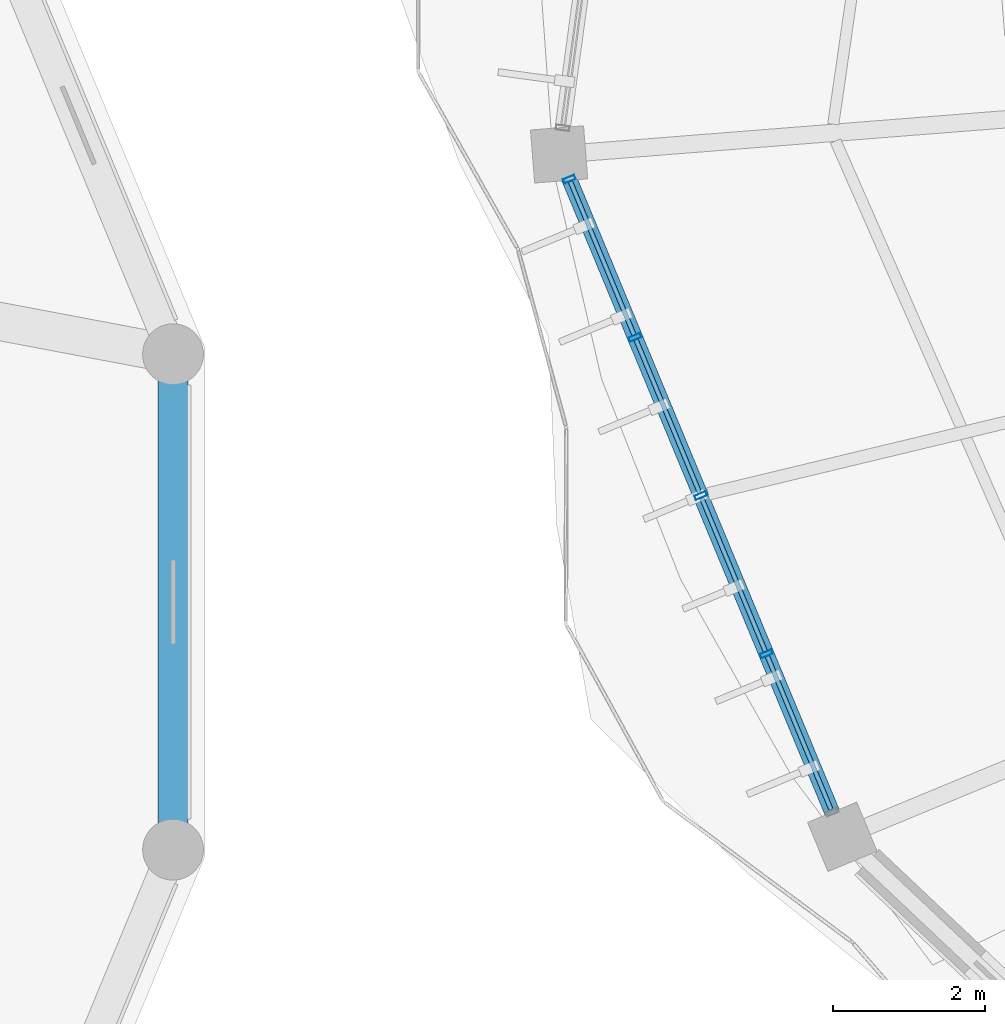
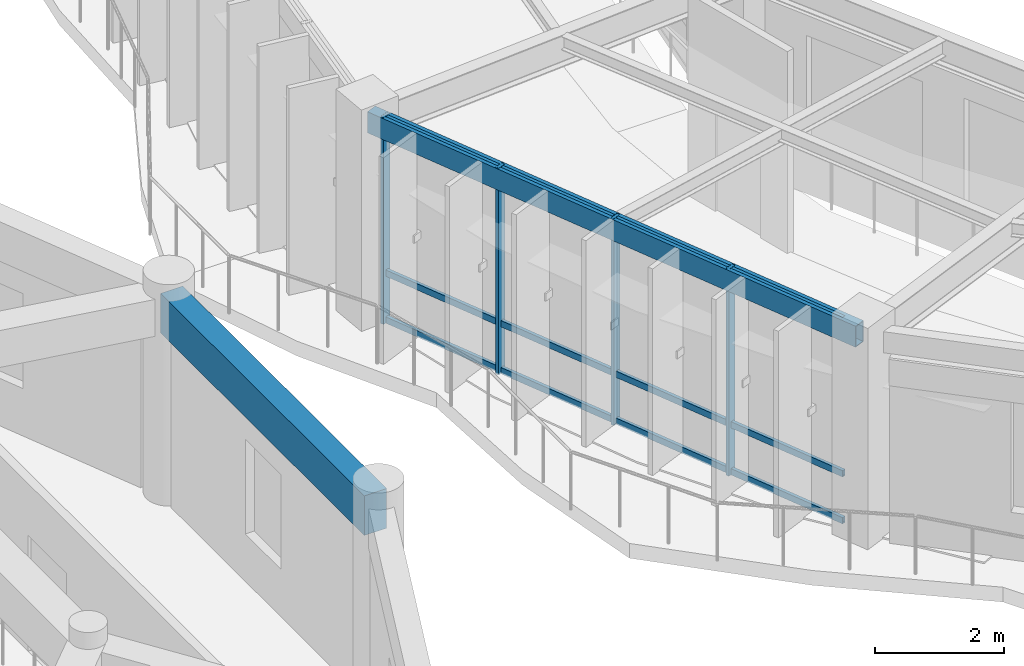
# One storey, part 37 of 138: 16 members, 2 beams, 1 element without a shape of its own.
"""IFC4 building model written with IfcOpenShell, lengths in metres."""

from ifc_helpers import new_model, si_unit, direction, frame, origin, origin_2d, place, context, subcontext, project, spatial, rectangle, hollow_rectangle, extrude, material, material_profile, profile_set, type_object, element, aggregate, save


model = new_model("IFC4")

# Units and contexts
model_context = context("Model", 3, precision=1e-05, world=origin(), true_north=direction((0.0, 1.0)))
body_context = subcontext(model_context, "Body", "Model", "MODEL_VIEW")
ifc_project = project(units=[si_unit("LENGTHUNIT", "METRE"), si_unit("AREAUNIT", "SQUARE_METRE"), si_unit("VOLUMEUNIT", "CUBIC_METRE"), si_unit("PLANEANGLEUNIT", "RADIAN"), si_unit("MASSUNIT", "GRAM", prefix="KILO"), si_unit("THERMODYNAMICTEMPERATUREUNIT", "KELVIN"), si_unit("POWERUNIT", "WATT")], contexts=[model_context])

# Site, building, storey
site_placement = place(None, origin())
site = spatial("IfcSite", under=ifc_project, at=site_placement, CompositionType="ELEMENT")
building_placement = place(site_placement, origin())
building = spatial("IfcBuilding", under=site, at=building_placement, Name="Darbajah Civic Hall", CompositionType="ELEMENT")
storey_placement = place(building_placement, frame((0.0, 0.0, 9.60009765625)))
storey = spatial("IfcBuildingStorey", under=building, at=storey_placement, Name="L02", CompositionType="ELEMENT", Elevation=9.60009765625)

# Curtain wall, members
ifc_material_1 = material(Name="Anodised Bronze Aluminium and Low-E Glazing", Category="aluminium")
curtain_wall_type = type_object("IfcCurtainWallType", Name="Unitised Curtain Wall CW-47 9000x3900", PredefinedType="USERDEFINED", material=ifc_material_1)
curtain_wall_placement = place(storey_placement, origin())
curtain_wall = element("IfcCurtainWall", 1, at=curtain_wall_placement, inside=storey, type_object=curtain_wall_type, Name="L02 unitised curtain wall CW-V1O-L02-10", ObjectType="UNITISED CURTAIN WALL", PredefinedType="USERDEFINED")
ifc_material_2 = material(Name="Anodised Bronze Aluminium", Category="aluminium")
ifc_material_profile_1 = material_profile(ifc_material_2, hollow_rectangle(XDim=0.06005859375, YDim=0.159912109375, WallThickness=0.00341796875, at=origin_2d()), Name="ALU MULLION 60x160")
ifc_profile_set_1 = profile_set([ifc_material_profile_1], Name="Anodised Bronze Aluminium")
member_type_1 = type_object("IfcMemberType", Name="ALU MULLION 60x160", PredefinedType="MULLION", material=ifc_profile_set_1)
member_1_placement = place(storey_placement, frame((38.39208984375, 87.160400390625, 0.0), z_axis=(0.0, 0.0, 1.0), x_axis=(0.383328328644, -0.923612143954, 0.0)))
member_1 = element("IfcMember", 2, at=member_1_placement, type_object=member_type_1, Name="CW-V1O-L02-10 mullion 1", PredefinedType="MULLION", context=body_context, shape_type="SweptSolid", body=[
    extrude(hollow_rectangle(XDim=0.06005859375, YDim=0.159912109375, WallThickness=0.00341796875, at=origin_2d()), origin(), (0.0, 0.0, 1.0), 3.919921875),
])
member_2_placement = place(storey_placement, frame((39.255859375, 85.079345703125, 0.0), z_axis=(0.0, 0.0, 1.0), x_axis=(0.383328328644, -0.923612143954, 0.0)))
member_2 = element("IfcMember", 3, at=member_2_placement, type_object=member_type_1, Name="CW-V1O-L02-10 mullion 2", PredefinedType="MULLION", context=body_context, shape_type="SweptSolid", body=[
    extrude(hollow_rectangle(XDim=0.06005859375, YDim=0.159912109375, WallThickness=0.00341796875, at=origin_2d()), origin(), (0.0, 0.0, 1.0), 3.919921875),
])
member_3_placement = place(storey_placement, frame((40.11962890625, 82.998046875, 0.0), z_axis=(0.0, 0.0, 1.0), x_axis=(0.383328328644, -0.923612143954, 0.0)))
member_3 = element("IfcMember", 4, at=member_3_placement, type_object=member_type_1, Name="CW-V1O-L02-10 mullion 3", PredefinedType="MULLION", context=body_context, shape_type="SweptSolid", body=[
    extrude(hollow_rectangle(XDim=0.06005859375, YDim=0.159912109375, WallThickness=0.00341796875, at=origin_2d()), origin(), (0.0, 0.0, 1.0), 3.919921875),
])
member_4_placement = place(storey_placement, frame((40.9833984375, 80.9169921875, 0.0), z_axis=(0.0, 0.0, 1.0), x_axis=(0.383328328644, -0.923612143954, 0.0)))
member_4 = element("IfcMember", 5, at=member_4_placement, type_object=member_type_1, Name="CW-V1O-L02-10 mullion 4", PredefinedType="MULLION", context=body_context, shape_type="SweptSolid", body=[
    extrude(hollow_rectangle(XDim=0.06005859375, YDim=0.159912109375, WallThickness=0.00341796875, at=origin_2d()), origin(), (0.0, 0.0, 1.0), 3.919921875),
])
ifc_material_profile_2 = material_profile(ifc_material_2, hollow_rectangle(XDim=0.06005859375, YDim=0.1201171875, WallThickness=0.003173828125, at=origin_2d()), Name="ALU TRANSOM 60x120")
ifc_profile_set_2 = profile_set([ifc_material_profile_2], Name="Anodised Bronze Aluminium")
member_type_2 = type_object("IfcMemberType", Name="ALU TRANSOM 60x120", PredefinedType="USERDEFINED", material=ifc_profile_set_2)
member_5_placement = place(storey_placement, frame((38.405517578125, 87.128173828125, 0.059814453125), z_axis=(0.383312882002, -0.923618554649, 0.0), x_axis=(0.923618554649, 0.383312882002, 0.0)))
member_5 = element("IfcMember", 6, at=member_5_placement, type_object=member_type_2, Name="CW-V1O-L02-10 transom 1.1", ObjectType="TRANSOM", PredefinedType="USERDEFINED", context=body_context, shape_type="SweptSolid", body=[
    extrude(hollow_rectangle(XDim=0.06005859375, YDim=0.1201171875, WallThickness=0.003173828125, at=origin_2d()), origin(), (0.0, 0.0, 1.0), 2.183349609375),
])
member_6_placement = place(storey_placement, frame((38.405517578125, 87.128173828125, 0.949951171875), z_axis=(0.383312882002, -0.923618554649, 0.0), x_axis=(0.923618554649, 0.383312882002, 0.0)))
member_6 = element("IfcMember", 7, at=member_6_placement, type_object=member_type_2, Name="CW-V1O-L02-10 transom 1.2", ObjectType="TRANSOM", PredefinedType="USERDEFINED", context=body_context, shape_type="SweptSolid", body=[
    extrude(hollow_rectangle(XDim=0.06005859375, YDim=0.1201171875, WallThickness=0.003173828125, at=origin_2d()), origin(), (0.0, 0.0, 1.0), 2.183349609375),
])
member_7_placement = place(storey_placement, frame((38.405517578125, 87.128173828125, 3.85986328125), z_axis=(0.383312882002, -0.923618554649, 0.0), x_axis=(0.923618554649, 0.383312882002, 0.0)))
member_7 = element("IfcMember", 8, at=member_7_placement, type_object=member_type_2, Name="CW-V1O-L02-10 transom 1.3", ObjectType="TRANSOM", PredefinedType="USERDEFINED", context=body_context, shape_type="SweptSolid", body=[
    extrude(hollow_rectangle(XDim=0.06005859375, YDim=0.1201171875, WallThickness=0.003173828125, at=origin_2d()), origin(), (0.0, 0.0, 1.0), 2.183349609375),
])
member_8_placement = place(storey_placement, frame((39.269287109375, 85.046875, 0.059814453125), z_axis=(0.383352473292, -0.923602122789, 0.0), x_axis=(0.923602122789, 0.383352473292, 0.0)))
member_8 = element("IfcMember", 9, at=member_8_placement, type_object=member_type_2, Name="CW-V1O-L02-10 transom 2.1", ObjectType="TRANSOM", PredefinedType="USERDEFINED", context=body_context, shape_type="SweptSolid", body=[
    extrude(hollow_rectangle(XDim=0.06005859375, YDim=0.1201171875, WallThickness=0.003173828125, at=origin_2d()), origin(), (0.0, 0.0, 1.0), 2.18310546875),
])
member_9_placement = place(storey_placement, frame((39.269287109375, 85.046875, 0.949951171875), z_axis=(0.383352473292, -0.923602122789, 0.0), x_axis=(0.923602122789, 0.383352473292, 0.0)))
member_9 = element("IfcMember", 10, at=member_9_placement, type_object=member_type_2, Name="CW-V1O-L02-10 transom 2.2", ObjectType="TRANSOM", PredefinedType="USERDEFINED", context=body_context, shape_type="SweptSolid", body=[
    extrude(hollow_rectangle(XDim=0.06005859375, YDim=0.1201171875, WallThickness=0.003173828125, at=origin_2d()), origin(), (0.0, 0.0, 1.0), 2.18310546875),
])
member_10_placement = place(storey_placement, frame((39.269287109375, 85.046875, 3.85986328125), z_axis=(0.383352473292, -0.923602122789, 0.0), x_axis=(0.923602122789, 0.383352473292, 0.0)))
member_10 = element("IfcMember", 11, at=member_10_placement, type_object=member_type_2, Name="CW-V1O-L02-10 transom 2.3", ObjectType="TRANSOM", PredefinedType="USERDEFINED", context=body_context, shape_type="SweptSolid", body=[
    extrude(hollow_rectangle(XDim=0.06005859375, YDim=0.1201171875, WallThickness=0.003173828125, at=origin_2d()), origin(), (0.0, 0.0, 1.0), 2.18310546875),
])
member_11_placement = place(storey_placement, frame((40.133056640625, 82.9658203125, 0.059814453125), z_axis=(0.383352473292, -0.923602122789, 0.0), x_axis=(0.923602122789, 0.383352473292, 0.0)))
member_11 = element("IfcMember", 12, at=member_11_placement, type_object=member_type_2, Name="CW-V1O-L02-10 transom 3.1", ObjectType="TRANSOM", PredefinedType="USERDEFINED", context=body_context, shape_type="SweptSolid", body=[
    extrude(hollow_rectangle(XDim=0.06005859375, YDim=0.1201171875, WallThickness=0.003173828125, at=origin_2d()), origin(), (0.0, 0.0, 1.0), 2.18310546875),
])
member_12_placement = place(storey_placement, frame((40.133056640625, 82.9658203125, 0.949951171875), z_axis=(0.383352473292, -0.923602122789, 0.0), x_axis=(0.923602122789, 0.383352473292, 0.0)))
member_12 = element("IfcMember", 13, at=member_12_placement, type_object=member_type_2, Name="CW-V1O-L02-10 transom 3.2", ObjectType="TRANSOM", PredefinedType="USERDEFINED", context=body_context, shape_type="SweptSolid", body=[
    extrude(hollow_rectangle(XDim=0.06005859375, YDim=0.1201171875, WallThickness=0.003173828125, at=origin_2d()), origin(), (0.0, 0.0, 1.0), 2.18310546875),
])
member_13_placement = place(storey_placement, frame((40.133056640625, 82.9658203125, 3.85986328125), z_axis=(0.383352473292, -0.923602122789, 0.0), x_axis=(0.923602122789, 0.383352473292, 0.0)))
member_13 = element("IfcMember", 14, at=member_13_placement, type_object=member_type_2, Name="CW-V1O-L02-10 transom 3.3", ObjectType="TRANSOM", PredefinedType="USERDEFINED", context=body_context, shape_type="SweptSolid", body=[
    extrude(hollow_rectangle(XDim=0.06005859375, YDim=0.1201171875, WallThickness=0.003173828125, at=origin_2d()), origin(), (0.0, 0.0, 1.0), 2.18310546875),
])
member_14_placement = place(storey_placement, frame((40.996826171875, 80.884765625, 0.059814453125), z_axis=(0.383312882002, -0.923618554649, 0.0), x_axis=(0.923618554649, 0.383312882002, 0.0)))
member_14 = element("IfcMember", 15, at=member_14_placement, type_object=member_type_2, Name="CW-V1O-L02-10 transom 4.1", ObjectType="TRANSOM", PredefinedType="USERDEFINED", context=body_context, shape_type="SweptSolid", body=[
    extrude(hollow_rectangle(XDim=0.06005859375, YDim=0.1201171875, WallThickness=0.003173828125, at=origin_2d()), origin(), (0.0, 0.0, 1.0), 2.183349609375),
])
member_15_placement = place(storey_placement, frame((40.996826171875, 80.884765625, 0.949951171875), z_axis=(0.383312882002, -0.923618554649, 0.0), x_axis=(0.923618554649, 0.383312882002, 0.0)))
member_15 = element("IfcMember", 16, at=member_15_placement, type_object=member_type_2, Name="CW-V1O-L02-10 transom 4.2", ObjectType="TRANSOM", PredefinedType="USERDEFINED", context=body_context, shape_type="SweptSolid", body=[
    extrude(hollow_rectangle(XDim=0.06005859375, YDim=0.1201171875, WallThickness=0.003173828125, at=origin_2d()), origin(), (0.0, 0.0, 1.0), 2.183349609375),
])
member_16_placement = place(storey_placement, frame((40.996826171875, 80.884765625, 3.85986328125), z_axis=(0.383312882002, -0.923618554649, 0.0), x_axis=(0.923618554649, 0.383312882002, 0.0)))
member_16 = element("IfcMember", 17, at=member_16_placement, type_object=member_type_2, Name="CW-V1O-L02-10 transom 4.3", ObjectType="TRANSOM", PredefinedType="USERDEFINED", context=body_context, shape_type="SweptSolid", body=[
    extrude(hollow_rectangle(XDim=0.06005859375, YDim=0.1201171875, WallThickness=0.003173828125, at=origin_2d()), origin(), (0.0, 0.0, 1.0), 2.183349609375),
])
aggregate(curtain_wall, [member_1, member_2, member_3, member_4, member_5, member_6, member_7, member_8, member_9, member_10, member_11, member_12, member_13, member_14, member_15, member_16])

# Beams
ifc_material_3 = material(Name="Concrete C45/55", Category="concrete")
ifc_material_profile_3 = material_profile(ifc_material_3, rectangle(XDim=0.39990234375, YDim=0.75, at=origin_2d()), Name="RC SPANDREL 400x750")
ifc_profile_set_3 = profile_set([ifc_material_profile_3], Name="Concrete C45/55")
beam_type_1 = type_object("IfcBeamType", Name="RC SPANDREL 400x750", PredefinedType="SPANDREL", material=ifc_profile_set_3)
beam_1_placement = place(storey_placement, frame((33.179931640625, 78.431884765625, 3.5048828125), z_axis=(0.0, 1.0, 0.0), x_axis=(-1.0, 0.0, 0.0)))
element("IfcBeam", 18, at=beam_1_placement, inside=storey, type_object=beam_type_1, Name="L02 beam SP-4075", PredefinedType="SPANDREL", context=body_context, shape_type="SweptSolid", body=[
    extrude(rectangle(XDim=0.39990234375, YDim=0.75, at=origin_2d()), origin(), (0.0, 0.0, 1.0), 6.33642578125),
])
ifc_material_4 = material(Name="Steel S355JR", Category="steel")
ifc_material_profile_4 = material_profile(ifc_material_4, hollow_rectangle(XDim=0.199951171875, YDim=0.39990234375, WallThickness=0.013916015625, at=origin_2d()), Name="RHS 400x200x14")
ifc_profile_set_4 = profile_set([ifc_material_profile_4], Name="Steel S355JR")
beam_type_2 = type_object("IfcBeamType", Name="RHS 400x200x14", PredefinedType="SPANDREL", material=ifc_profile_set_4)
beam_2_placement = place(storey_placement, frame((38.287841796875, 87.41162109375, 3.719970703125), z_axis=(0.38333984527, -0.923607364104, 0.0), x_axis=(0.923607364104, 0.38333984527, 0.0)))
element("IfcBeam", 19, at=beam_2_placement, inside=storey, type_object=beam_type_2, Name="L02 beam SP-RHS400", PredefinedType="SPANDREL", context=body_context, shape_type="SweptSolid", body=[
    extrude(hollow_rectangle(XDim=0.199951171875, YDim=0.39990234375, WallThickness=0.013916015625, at=origin_2d()), origin(), (0.0, 0.0, 1.0), 9.556884765625),
])

save(model, "model.ifc")
